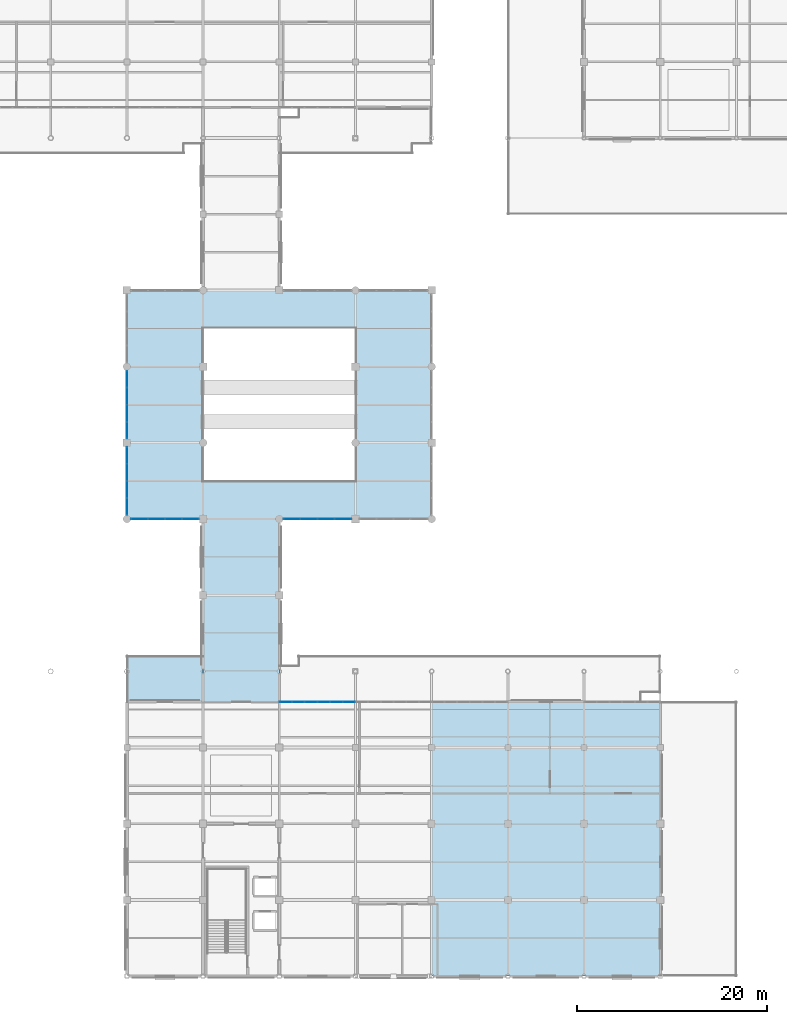
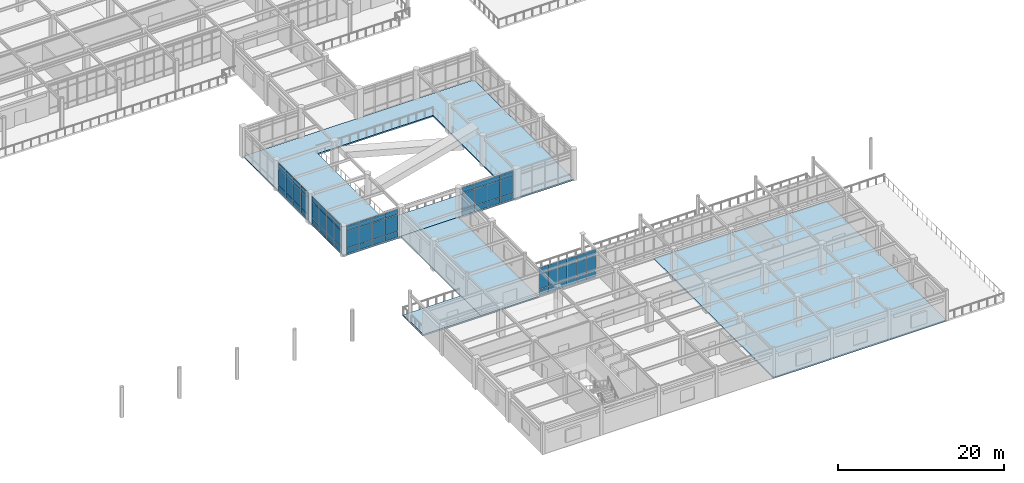
# One storey, part 48 of 75: 66 plates, 4 slabs, 5 elements without a shape of their own.
"""IFC4 building model written with IfcOpenShell, lengths in metres."""

import ifcopenshell
import ifcopenshell.guid

model = None  # the IFC model being written
_history = None  # IfcOwnerHistory: only IFC2X3 demands one
_inside = {}  # id of a spatial element -> (the spatial element, [elements in it])
_under = {}  # id of a project, library or spatial element -> (it, [spatial elements below it])
_declared = {}  # id of a project -> (the project, [libraries it declares])
_typed = {}  # id of a type object -> (the type object, [elements of that type])
_made_of = {}  # id of a material, layer set ... -> (it, [elements and type objects made of it])


def new_model(schema):
    """Start an empty IFC model of exactly this schema.

    Asked for "IFC4X3", IfcOpenShell would pick the latest addendum, in which some entities
    have other attributes; the version numbers below select the first issue.
    IFC2X3 requires an IfcOwnerHistory on every rooted entity: one is made here for all.
    """
    global model, _history
    if schema == "IFC4X3":
        model = ifcopenshell.file(schema_version=(4, 3, 0, 0))
    else:
        model = ifcopenshell.file(schema=schema)
    _inside.clear()
    _under.clear()
    _declared.clear()
    _typed.clear()
    _made_of.clear()
    _history = None
    if model.schema == "IFC2X3":
        org = make("IfcOrganization", Name="unknown")
        user = make(
            "IfcPersonAndOrganization",
            ThePerson=make("IfcPerson", FamilyName="unknown"),
            TheOrganization=org,
        )
        app = make(
            "IfcApplication",
            ApplicationDeveloper=org,
            Version="unknown",
            ApplicationFullName="unknown",
            ApplicationIdentifier="unknown",
        )
        _history = make(
            "IfcOwnerHistory",
            OwningUser=user,
            OwningApplication=app,
            ChangeAction="ADDED",
            CreationDate=0,
        )
    return model


def make(cls, **values):
    """One entity of the class cls with the attributes given. An attribute that is None is left unset."""
    return model.create_entity(
        cls, **{name: value for name, value in values.items() if value is not None}
    )


def rooted(cls, **values):
    """An entity with a GlobalId (a new one), such as an element, a storey or a relation."""
    return make(cls, GlobalId=ifcopenshell.guid.new(), OwnerHistory=_history, **values)


def si_unit(unit_type, name, prefix=None):
    """IfcSIUnit, for example si_unit("LENGTHUNIT", "METRE", prefix="MILLI")."""
    return make("IfcSIUnit", UnitType=unit_type, Prefix=prefix, Name=name)


def assignment(units):
    """IfcUnitAssignment: the units of a project."""
    return None if units is None else make("IfcUnitAssignment", Units=units)


def point(xyz):
    """IfcCartesianPoint."""
    return None if xyz is None else make("IfcCartesianPoint", Coordinates=xyz)


def direction(xyz):
    """IfcDirection."""
    return None if xyz is None else make("IfcDirection", DirectionRatios=xyz)


def frame(location, z_axis=None, x_axis=None):
    """IfcAxis2Placement3D, a coordinate frame: its origin and axes. An axis left out is left unset."""
    return make(
        "IfcAxis2Placement3D",
        Location=point(location),
        Axis=direction(z_axis),
        RefDirection=direction(x_axis),
    )


def frame_2d(location, x_axis=None):
    """IfcAxis2Placement2D, a coordinate frame in the plane: its origin and x axis."""
    return make(
        "IfcAxis2Placement2D", Location=point(location), RefDirection=direction(x_axis)
    )


def origin():
    """The frame at (0, 0, 0) with its axes left unset."""
    return frame((0.0, 0.0, 0.0))


def origin_2d():
    """The frame at (0, 0) in the plane with its x axis left unset."""
    return frame_2d((0.0, 0.0))


def place(relative_to, where):
    """IfcLocalPlacement: puts the frame where relative to a parent placement (None: the world)."""
    return make(
        "IfcLocalPlacement", PlacementRelTo=relative_to, RelativePlacement=where
    )


def context(
    kind, dimensions, precision=None, world=None, true_north=None, identifier=None
):
    """IfcGeometricRepresentationContext, for example the 3D "Model" context."""
    return make(
        "IfcGeometricRepresentationContext",
        ContextIdentifier=identifier,
        ContextType=kind,
        CoordinateSpaceDimension=dimensions,
        Precision=precision,
        WorldCoordinateSystem=world,
        TrueNorth=true_north,
    )


def subcontext(parent, identifier, kind, view, scale=None):
    """IfcGeometricRepresentationSubContext, for example "Body" below "Model"."""
    return make(
        "IfcGeometricRepresentationSubContext",
        ContextIdentifier=identifier,
        ContextType=kind,
        ParentContext=parent,
        TargetScale=scale,
        TargetView=view,
    )


def project(units=None, contexts=None):
    """IfcProject with its units and contexts."""
    return rooted(
        "IfcProject",
        Name="project",
        RepresentationContexts=contexts,
        UnitsInContext=assignment(units),
    )


def spatial(cls, under=None, at=None, **own):
    """A site, building, storey or space (cls), placed at a placement, below another one or the project."""
    s = rooted(cls, ObjectPlacement=at, **own)
    if under is not None:
        _under.setdefault(under.id(), (under, []))[1].append(s)
    return s


def polyline(points):
    """IfcPolyline through the points."""
    return make("IfcPolyline", Points=[point(p) for p in points])


def profile(cls, at=None, kind="AREA", **sizes):
    """A parametric profile (cls). Its sizes go by their IFC names, for example OverallWidth=200.0."""
    return make(cls, ProfileType=kind, Position=at, **sizes)


def rectangle(**sizes):
    """IfcRectangleProfileDef."""
    return profile("IfcRectangleProfileDef", **sizes)


def outline(outer, holes=None, kind="AREA"):
    """IfcArbitraryClosedProfileDef: a profile drawn as a closed curve; with holes, ...WithVoids."""
    if holes is None:
        return make("IfcArbitraryClosedProfileDef", ProfileType=kind, OuterCurve=outer)
    return make(
        "IfcArbitraryProfileDefWithVoids",
        ProfileType=kind,
        OuterCurve=outer,
        InnerCurves=holes,
    )


def extrude(swept, where, along, depth):
    """IfcExtrudedAreaSolid: the profile swept, set in the frame where, extruded along a direction by depth."""
    return make(
        "IfcExtrudedAreaSolid",
        SweptArea=swept,
        Position=where,
        ExtrudedDirection=direction(along),
        Depth=depth,
    )


def shape(context_of_items, identifier, shape_type, items):
    """IfcShapeRepresentation: the items that make up one representation, for example the "Body"."""
    return make(
        "IfcShapeRepresentation",
        ContextOfItems=context_of_items,
        RepresentationIdentifier=identifier,
        RepresentationType=shape_type,
        Items=items,
    )


def material(Name=None, Category=None):
    """IfcMaterial."""
    return make("IfcMaterial", Name=Name, Category=Category)


def layer(
    of_material, thickness, ventilated=None, Name=None, Category=None, Priority=None
):
    """IfcMaterialLayer: one layer of a wall or slab, of a material (None: an air gap)."""
    return make(
        "IfcMaterialLayer",
        Material=of_material,
        LayerThickness=thickness,
        IsVentilated=ventilated,
        Name=Name,
        Category=Category,
        Priority=Priority,
    )


def layer_set(layers, Name=None):
    """IfcMaterialLayerSet."""
    return make("IfcMaterialLayerSet", MaterialLayers=layers, LayerSetName=Name)


def made_of(thing, what):
    """Note that an element or type object is made of a material, layer set ...; save() writes the relation."""
    if what is not None:
        _made_of.setdefault(what.id(), (what, []))[1].append(thing)
    return thing


def type_object(cls, material=None, **own):
    """A type object (cls), such as IfcWallType, which elements share."""
    return made_of(rooted(cls, **own), material)


def element(
    cls,
    number,
    at=None,
    inside=None,
    cuts=None,
    type_object=None,
    material=None,
    context=None,
    identifier="Body",
    shape_type=None,
    held_by="IfcProductDefinitionShape",
    body=None,
    shapes=None,
    **own,
):
    """One element of the class cls, such as IfcWall. Its Tag is "e" and its number.

    at: its placement. inside: the storey or other place that contains it. cuts: it is an
    opening in that element (IfcRelVoidsElement). A single representation is given by context,
    identifier, shape_type and body (its items); several are given by shapes. held_by: the class
    of the entity that holds the representations. save() writes the other relations.
    """
    e = rooted(cls, Tag="e%d" % number, ObjectPlacement=at, **own)
    if body is not None:
        shapes = [shape(context, identifier, shape_type, body)]
    if shapes is not None:
        e.Representation = make(held_by, Representations=shapes)
    if inside is not None:
        _inside.setdefault(inside.id(), (inside, []))[1].append(e)
    if cuts is not None:
        rooted(
            "IfcRelVoidsElement", RelatingBuildingElement=cuts, RelatedOpeningElement=e
        )
    if type_object is not None:
        _typed.setdefault(type_object.id(), (type_object, []))[1].append(e)
    return made_of(e, material)


def aggregate(whole, parts):
    """IfcRelAggregates: a whole, such as a stair, and the parts it consists of."""
    return rooted("IfcRelAggregates", RelatingObject=whole, RelatedObjects=parts)


def save(model, path):
    """Write the relations noted so far, then the file.

    IfcRelAggregates (storeys below a building ...), IfcRelContainedInSpatialStructure (elements
    in a storey), IfcRelDefinesByType, IfcRelAssociatesMaterial and IfcRelDeclares: one each for
    every whole, place, type object, material and project.
    """
    for whole, parts in _under.values():
        aggregate(whole, parts)
    for where, things in _inside.values():
        rooted(
            "IfcRelContainedInSpatialStructure",
            RelatedElements=things,
            RelatingStructure=where,
        )
    for kind, things in _typed.values():
        rooted("IfcRelDefinesByType", RelatedObjects=things, RelatingType=kind)
    for what, things in _made_of.values():
        rooted("IfcRelAssociatesMaterial", RelatedObjects=things, RelatingMaterial=what)
    for by, libraries in _declared.values():
        rooted("IfcRelDeclares", RelatingContext=by, RelatedDefinitions=libraries)
    model.write(path)


model = new_model("IFC4")

# Units and contexts
model_context = context("Model", 3, precision=1e-05, world=origin(), true_north=direction((0.0, 1.0)))
body_context = subcontext(model_context, "Body", "Model", "MODEL_VIEW")
ifc_project = project(units=[si_unit("LENGTHUNIT", "METRE"), si_unit("AREAUNIT", "SQUARE_METRE"), si_unit("VOLUMEUNIT", "CUBIC_METRE"), si_unit("PLANEANGLEUNIT", "RADIAN"), si_unit("MASSUNIT", "GRAM", prefix="KILO")], contexts=[model_context])

# Site, building, storey
site_placement = place(None, origin())
site = spatial("IfcSite", under=ifc_project, at=site_placement, CompositionType="ELEMENT")
building_placement = place(site_placement, origin())
building = spatial("IfcBuilding", under=site, at=building_placement, Name="Solmirada Galleria", CompositionType="ELEMENT")
storey_placement = place(building_placement, frame((0.0, 0.0, 19.39990234375)))
storey = spatial("IfcBuildingStorey", under=building, at=storey_placement, Name="L04", CompositionType="ELEMENT", Elevation=19.39990234375)

# Curtain wall, plates
ifc_material_1 = material(Name="Impact-resistant low-E double glazing", Category="glass")
curtain_wall_type_1 = type_object("IfcCurtainWallType", Name="CW-FZ3-L04-B4-L072", PredefinedType="NOTDEFINED", material=ifc_material_1)
curtain_wall_1_placement = place(storey_placement, origin())
curtain_wall_1 = element("IfcCurtainWall", 1, at=curtain_wall_1_placement, inside=storey, type_object=curtain_wall_type_1, Name="Terrace and arcade storefront CW-L04-141", PredefinedType="NOTDEFINED")
ifc_layer_1 = layer(ifc_material_1, 0.0419921875)
ifc_layer_set_1 = layer_set([ifc_layer_1], Name="Impact-resistant low-E double glazing")
plate_type_1 = type_object("IfcPlateType", Name="CW-PNL-CW30-T42", PredefinedType="CURTAIN_PANEL", material=ifc_layer_set_1)
plate_1_placement = place(storey_placement, frame((86.68359375, 48.0, 0.06005859375), z_axis=(0.0, 0.0, 1.0), x_axis=(-1.0, 0.0, 0.0)))
plate_1 = element("IfcPlate", 2, at=plate_1_placement, type_object=plate_type_1, Name="CW30 panel 1.1", PredefinedType="CURTAIN_PANEL", context=body_context, shape_type="SweptSolid", body=[
    extrude(rectangle(XDim=1.708984375, YDim=0.0419921875, at=origin_2d()), origin(), (0.0, 0.0, 1.0), 0.7900390625),
])
plate_2_placement = place(storey_placement, frame((86.68359375, 48.0, 0.91015625), z_axis=(0.0, 0.0, 1.0), x_axis=(-1.0, 0.0, 0.0)))
plate_2 = element("IfcPlate", 3, at=plate_2_placement, type_object=plate_type_1, Name="CW30 panel 1.2", PredefinedType="CURTAIN_PANEL", context=body_context, shape_type="SweptSolid", body=[
    extrude(rectangle(XDim=1.708984375, YDim=0.0419921875, at=origin_2d()), origin(), (0.0, 0.0, 1.0), 2.39990234375),
])
plate_3_placement = place(storey_placement, frame((86.68359375, 48.0, 3.3701171875), z_axis=(0.0, 0.0, 1.0), x_axis=(-1.0, 0.0, 0.0)))
plate_3 = element("IfcPlate", 4, at=plate_3_placement, type_object=plate_type_1, Name="CW30 panel 1.3", PredefinedType="CURTAIN_PANEL", context=body_context, shape_type="SweptSolid", body=[
    extrude(rectangle(XDim=1.708984375, YDim=0.0419921875, at=origin_2d()), origin(), (0.0, 0.0, 1.0), 0.7900390625),
])
plate_4_placement = place(storey_placement, frame((84.8994140625, 48.0, 0.06005859375), z_axis=(0.0, 0.0, 1.0), x_axis=(-1.0, 0.0, 0.0)))
plate_4 = element("IfcPlate", 5, at=plate_4_placement, type_object=plate_type_1, Name="CW30 panel 2.1", PredefinedType="CURTAIN_PANEL", context=body_context, shape_type="SweptSolid", body=[
    extrude(rectangle(XDim=1.739013671875, YDim=0.0419921875, at=origin_2d()), origin(), (0.0, 0.0, 1.0), 0.7900390625),
])
plate_5_placement = place(storey_placement, frame((84.8994140625, 48.0, 0.91015625), z_axis=(0.0, 0.0, 1.0), x_axis=(-1.0, 0.0, 0.0)))
plate_5 = element("IfcPlate", 6, at=plate_5_placement, type_object=plate_type_1, Name="CW30 panel 2.2", PredefinedType="CURTAIN_PANEL", context=body_context, shape_type="SweptSolid", body=[
    extrude(rectangle(XDim=1.739013671875, YDim=0.0419921875, at=origin_2d()), origin(), (0.0, 0.0, 1.0), 2.39990234375),
])
plate_6_placement = place(storey_placement, frame((84.8994140625, 48.0, 3.3701171875), z_axis=(0.0, 0.0, 1.0), x_axis=(-1.0, 0.0, 0.0)))
plate_6 = element("IfcPlate", 7, at=plate_6_placement, type_object=plate_type_1, Name="CW30 panel 2.3", PredefinedType="CURTAIN_PANEL", context=body_context, shape_type="SweptSolid", body=[
    extrude(rectangle(XDim=1.739013671875, YDim=0.0419921875, at=origin_2d()), origin(), (0.0, 0.0, 1.0), 0.7900390625),
])
plate_7_placement = place(storey_placement, frame((83.1005859375, 48.0, 0.06005859375), z_axis=(0.0, 0.0, 1.0), x_axis=(-1.0, 0.0, 0.0)))
plate_7 = element("IfcPlate", 8, at=plate_7_placement, type_object=plate_type_1, Name="CW30 panel 3.1", PredefinedType="CURTAIN_PANEL", context=body_context, shape_type="SweptSolid", body=[
    extrude(rectangle(XDim=1.739013671875, YDim=0.0419921875, at=origin_2d()), origin(), (0.0, 0.0, 1.0), 0.7900390625),
])
plate_8_placement = place(storey_placement, frame((83.1005859375, 48.0, 0.91015625), z_axis=(0.0, 0.0, 1.0), x_axis=(-1.0, 0.0, 0.0)))
plate_8 = element("IfcPlate", 9, at=plate_8_placement, type_object=plate_type_1, Name="CW30 panel 3.2", PredefinedType="CURTAIN_PANEL", context=body_context, shape_type="SweptSolid", body=[
    extrude(rectangle(XDim=1.739013671875, YDim=0.0419921875, at=origin_2d()), origin(), (0.0, 0.0, 1.0), 2.39990234375),
])
plate_9_placement = place(storey_placement, frame((83.1005859375, 48.0, 3.3701171875), z_axis=(0.0, 0.0, 1.0), x_axis=(-1.0, 0.0, 0.0)))
plate_9 = element("IfcPlate", 10, at=plate_9_placement, type_object=plate_type_1, Name="CW30 panel 3.3", PredefinedType="CURTAIN_PANEL", context=body_context, shape_type="SweptSolid", body=[
    extrude(rectangle(XDim=1.739013671875, YDim=0.0419921875, at=origin_2d()), origin(), (0.0, 0.0, 1.0), 0.7900390625),
])
plate_10_placement = place(storey_placement, frame((81.31640625, 48.0, 0.06005859375), z_axis=(0.0, 0.0, 1.0), x_axis=(-1.0, 0.0, 0.0)))
plate_10 = element("IfcPlate", 11, at=plate_10_placement, type_object=plate_type_1, Name="CW30 panel 4.1", PredefinedType="CURTAIN_PANEL", context=body_context, shape_type="SweptSolid", body=[
    extrude(rectangle(XDim=1.708984375, YDim=0.0419921875, at=origin_2d()), origin(), (0.0, 0.0, 1.0), 0.7900390625),
])
plate_11_placement = place(storey_placement, frame((81.31640625, 48.0, 0.91015625), z_axis=(0.0, 0.0, 1.0), x_axis=(-1.0, 0.0, 0.0)))
plate_11 = element("IfcPlate", 12, at=plate_11_placement, type_object=plate_type_1, Name="CW30 panel 4.2", PredefinedType="CURTAIN_PANEL", context=body_context, shape_type="SweptSolid", body=[
    extrude(rectangle(XDim=1.708984375, YDim=0.0419921875, at=origin_2d()), origin(), (0.0, 0.0, 1.0), 2.39990234375),
])
plate_12_placement = place(storey_placement, frame((81.31640625, 48.0, 3.3701171875), z_axis=(0.0, 0.0, 1.0), x_axis=(-1.0, 0.0, 0.0)))
plate_12 = element("IfcPlate", 13, at=plate_12_placement, type_object=plate_type_1, Name="CW30 panel 4.3", PredefinedType="CURTAIN_PANEL", context=body_context, shape_type="SweptSolid", body=[
    extrude(rectangle(XDim=1.708984375, YDim=0.0419921875, at=origin_2d()), origin(), (0.0, 0.0, 1.0), 0.7900390625),
])
aggregate(curtain_wall_1, [plate_1, plate_2, plate_3, plate_4, plate_5, plate_6, plate_7, plate_8, plate_9, plate_10, plate_11, plate_12])

curtain_wall_2_placement = place(storey_placement, origin())
curtain_wall_2 = element("IfcCurtainWall", 14, at=curtain_wall_2_placement, inside=storey, type_object=curtain_wall_type_1, Name="Terrace and arcade storefront CW-L04-142", PredefinedType="NOTDEFINED")
plate_13_placement = place(storey_placement, frame((80.0, 49.31640625, 0.06005859375), z_axis=(0.0, 0.0, 1.0), x_axis=(0.0, 1.0, 0.0)))
plate_13 = element("IfcPlate", 15, at=plate_13_placement, type_object=plate_type_1, Name="CW30 panel 1.1", PredefinedType="CURTAIN_PANEL", context=body_context, shape_type="SweptSolid", body=[
    extrude(rectangle(XDim=1.708984375, YDim=0.0419921875, at=origin_2d()), origin(), (0.0, 0.0, 1.0), 0.7900390625),
])
plate_14_placement = place(storey_placement, frame((80.0, 49.31640625, 0.91015625), z_axis=(0.0, 0.0, 1.0), x_axis=(0.0, 1.0, 0.0)))
plate_14 = element("IfcPlate", 16, at=plate_14_placement, type_object=plate_type_1, Name="CW30 panel 1.2", PredefinedType="CURTAIN_PANEL", context=body_context, shape_type="SweptSolid", body=[
    extrude(rectangle(XDim=1.708984375, YDim=0.0419921875, at=origin_2d()), origin(), (0.0, 0.0, 1.0), 2.39990234375),
])
plate_15_placement = place(storey_placement, frame((80.0, 49.31640625, 3.3701171875), z_axis=(0.0, 0.0, 1.0), x_axis=(0.0, 1.0, 0.0)))
plate_15 = element("IfcPlate", 17, at=plate_15_placement, type_object=plate_type_1, Name="CW30 panel 1.3", PredefinedType="CURTAIN_PANEL", context=body_context, shape_type="SweptSolid", body=[
    extrude(rectangle(XDim=1.708984375, YDim=0.0419921875, at=origin_2d()), origin(), (0.0, 0.0, 1.0), 0.7900390625),
])
plate_16_placement = place(storey_placement, frame((80.0, 51.1005859375, 0.06005859375), z_axis=(0.0, 0.0, 1.0), x_axis=(0.0, 1.0, 0.0)))
plate_16 = element("IfcPlate", 18, at=plate_16_placement, type_object=plate_type_1, Name="CW30 panel 2.1", PredefinedType="CURTAIN_PANEL", context=body_context, shape_type="SweptSolid", body=[
    extrude(rectangle(XDim=1.739013671875, YDim=0.0419921875, at=origin_2d()), origin(), (0.0, 0.0, 1.0), 0.7900390625),
])
plate_17_placement = place(storey_placement, frame((80.0, 51.1005859375, 0.91015625), z_axis=(0.0, 0.0, 1.0), x_axis=(0.0, 1.0, 0.0)))
plate_17 = element("IfcPlate", 19, at=plate_17_placement, type_object=plate_type_1, Name="CW30 panel 2.2", PredefinedType="CURTAIN_PANEL", context=body_context, shape_type="SweptSolid", body=[
    extrude(rectangle(XDim=1.739013671875, YDim=0.0419921875, at=origin_2d()), origin(), (0.0, 0.0, 1.0), 2.39990234375),
])
plate_18_placement = place(storey_placement, frame((80.0, 51.1005859375, 3.3701171875), z_axis=(0.0, 0.0, 1.0), x_axis=(0.0, 1.0, 0.0)))
plate_18 = element("IfcPlate", 20, at=plate_18_placement, type_object=plate_type_1, Name="CW30 panel 2.3", PredefinedType="CURTAIN_PANEL", context=body_context, shape_type="SweptSolid", body=[
    extrude(rectangle(XDim=1.739013671875, YDim=0.0419921875, at=origin_2d()), origin(), (0.0, 0.0, 1.0), 0.7900390625),
])
plate_19_placement = place(storey_placement, frame((80.0, 52.8994140625, 0.06005859375), z_axis=(0.0, 0.0, 1.0), x_axis=(0.0, 1.0, 0.0)))
plate_19 = element("IfcPlate", 21, at=plate_19_placement, type_object=plate_type_1, Name="CW30 panel 3.1", PredefinedType="CURTAIN_PANEL", context=body_context, shape_type="SweptSolid", body=[
    extrude(rectangle(XDim=1.739013671875, YDim=0.0419921875, at=origin_2d()), origin(), (0.0, 0.0, 1.0), 0.7900390625),
])
plate_20_placement = place(storey_placement, frame((80.0, 52.8994140625, 0.91015625), z_axis=(0.0, 0.0, 1.0), x_axis=(0.0, 1.0, 0.0)))
plate_20 = element("IfcPlate", 22, at=plate_20_placement, type_object=plate_type_1, Name="CW30 panel 3.2", PredefinedType="CURTAIN_PANEL", context=body_context, shape_type="SweptSolid", body=[
    extrude(rectangle(XDim=1.739013671875, YDim=0.0419921875, at=origin_2d()), origin(), (0.0, 0.0, 1.0), 2.39990234375),
])
plate_21_placement = place(storey_placement, frame((80.0, 52.8994140625, 3.3701171875), z_axis=(0.0, 0.0, 1.0), x_axis=(0.0, 1.0, 0.0)))
plate_21 = element("IfcPlate", 23, at=plate_21_placement, type_object=plate_type_1, Name="CW30 panel 3.3", PredefinedType="CURTAIN_PANEL", context=body_context, shape_type="SweptSolid", body=[
    extrude(rectangle(XDim=1.739013671875, YDim=0.0419921875, at=origin_2d()), origin(), (0.0, 0.0, 1.0), 0.7900390625),
])
plate_22_placement = place(storey_placement, frame((80.0, 54.68359375, 0.06005859375), z_axis=(0.0, 0.0, 1.0), x_axis=(0.0, 1.0, 0.0)))
plate_22 = element("IfcPlate", 24, at=plate_22_placement, type_object=plate_type_1, Name="CW30 panel 4.1", PredefinedType="CURTAIN_PANEL", context=body_context, shape_type="SweptSolid", body=[
    extrude(rectangle(XDim=1.708984375, YDim=0.0419921875, at=origin_2d()), origin(), (0.0, 0.0, 1.0), 0.7900390625),
])
plate_23_placement = place(storey_placement, frame((80.0, 54.68359375, 0.91015625), z_axis=(0.0, 0.0, 1.0), x_axis=(0.0, 1.0, 0.0)))
plate_23 = element("IfcPlate", 25, at=plate_23_placement, type_object=plate_type_1, Name="CW30 panel 4.2", PredefinedType="CURTAIN_PANEL", context=body_context, shape_type="SweptSolid", body=[
    extrude(rectangle(XDim=1.708984375, YDim=0.0419921875, at=origin_2d()), origin(), (0.0, 0.0, 1.0), 2.39990234375),
])
plate_24_placement = place(storey_placement, frame((80.0, 54.68359375, 3.3701171875), z_axis=(0.0, 0.0, 1.0), x_axis=(0.0, 1.0, 0.0)))
plate_24 = element("IfcPlate", 26, at=plate_24_placement, type_object=plate_type_1, Name="CW30 panel 4.3", PredefinedType="CURTAIN_PANEL", context=body_context, shape_type="SweptSolid", body=[
    extrude(rectangle(XDim=1.708984375, YDim=0.0419921875, at=origin_2d()), origin(), (0.0, 0.0, 1.0), 0.7900390625),
])
aggregate(curtain_wall_2, [plate_13, plate_14, plate_15, plate_16, plate_17, plate_18, plate_19, plate_20, plate_21, plate_22, plate_23, plate_24])

curtain_wall_3_placement = place(storey_placement, origin())
curtain_wall_3 = element("IfcCurtainWall", 27, at=curtain_wall_3_placement, inside=storey, type_object=curtain_wall_type_1, Name="Terrace and arcade storefront CW-L04-143", PredefinedType="NOTDEFINED")
plate_25_placement = place(storey_placement, frame((80.0, 57.31640625, 0.06005859375), z_axis=(0.0, 0.0, 1.0), x_axis=(0.0, 1.0, 0.0)))
plate_25 = element("IfcPlate", 28, at=plate_25_placement, type_object=plate_type_1, Name="CW30 panel 1.1", PredefinedType="CURTAIN_PANEL", context=body_context, shape_type="SweptSolid", body=[
    extrude(rectangle(XDim=1.708984375, YDim=0.0419921875, at=origin_2d()), origin(), (0.0, 0.0, 1.0), 0.7900390625),
])
plate_26_placement = place(storey_placement, frame((80.0, 57.31640625, 0.91015625), z_axis=(0.0, 0.0, 1.0), x_axis=(0.0, 1.0, 0.0)))
plate_26 = element("IfcPlate", 29, at=plate_26_placement, type_object=plate_type_1, Name="CW30 panel 1.2", PredefinedType="CURTAIN_PANEL", context=body_context, shape_type="SweptSolid", body=[
    extrude(rectangle(XDim=1.708984375, YDim=0.0419921875, at=origin_2d()), origin(), (0.0, 0.0, 1.0), 2.39990234375),
])
plate_27_placement = place(storey_placement, frame((80.0, 57.31640625, 3.3701171875), z_axis=(0.0, 0.0, 1.0), x_axis=(0.0, 1.0, 0.0)))
plate_27 = element("IfcPlate", 30, at=plate_27_placement, type_object=plate_type_1, Name="CW30 panel 1.3", PredefinedType="CURTAIN_PANEL", context=body_context, shape_type="SweptSolid", body=[
    extrude(rectangle(XDim=1.708984375, YDim=0.0419921875, at=origin_2d()), origin(), (0.0, 0.0, 1.0), 0.7900390625),
])
plate_28_placement = place(storey_placement, frame((80.0, 59.1005859375, 0.06005859375), z_axis=(0.0, 0.0, 1.0), x_axis=(0.0, 1.0, 0.0)))
plate_28 = element("IfcPlate", 31, at=plate_28_placement, type_object=plate_type_1, Name="CW30 panel 2.1", PredefinedType="CURTAIN_PANEL", context=body_context, shape_type="SweptSolid", body=[
    extrude(rectangle(XDim=1.739013671875, YDim=0.0419921875, at=origin_2d()), origin(), (0.0, 0.0, 1.0), 0.7900390625),
])
plate_29_placement = place(storey_placement, frame((80.0, 59.1005859375, 0.91015625), z_axis=(0.0, 0.0, 1.0), x_axis=(0.0, 1.0, 0.0)))
plate_29 = element("IfcPlate", 32, at=plate_29_placement, type_object=plate_type_1, Name="CW30 panel 2.2", PredefinedType="CURTAIN_PANEL", context=body_context, shape_type="SweptSolid", body=[
    extrude(rectangle(XDim=1.739013671875, YDim=0.0419921875, at=origin_2d()), origin(), (0.0, 0.0, 1.0), 2.39990234375),
])
plate_30_placement = place(storey_placement, frame((80.0, 59.1005859375, 3.3701171875), z_axis=(0.0, 0.0, 1.0), x_axis=(0.0, 1.0, 0.0)))
plate_30 = element("IfcPlate", 33, at=plate_30_placement, type_object=plate_type_1, Name="CW30 panel 2.3", PredefinedType="CURTAIN_PANEL", context=body_context, shape_type="SweptSolid", body=[
    extrude(rectangle(XDim=1.739013671875, YDim=0.0419921875, at=origin_2d()), origin(), (0.0, 0.0, 1.0), 0.7900390625),
])
plate_31_placement = place(storey_placement, frame((80.0, 60.8994140625, 0.06005859375), z_axis=(0.0, 0.0, 1.0), x_axis=(0.0, 1.0, 0.0)))
plate_31 = element("IfcPlate", 34, at=plate_31_placement, type_object=plate_type_1, Name="CW30 panel 3.1", PredefinedType="CURTAIN_PANEL", context=body_context, shape_type="SweptSolid", body=[
    extrude(rectangle(XDim=1.739013671875, YDim=0.0419921875, at=origin_2d()), origin(), (0.0, 0.0, 1.0), 0.7900390625),
])
plate_32_placement = place(storey_placement, frame((80.0, 60.8994140625, 0.91015625), z_axis=(0.0, 0.0, 1.0), x_axis=(0.0, 1.0, 0.0)))
plate_32 = element("IfcPlate", 35, at=plate_32_placement, type_object=plate_type_1, Name="CW30 panel 3.2", PredefinedType="CURTAIN_PANEL", context=body_context, shape_type="SweptSolid", body=[
    extrude(rectangle(XDim=1.739013671875, YDim=0.0419921875, at=origin_2d()), origin(), (0.0, 0.0, 1.0), 2.39990234375),
])
plate_33_placement = place(storey_placement, frame((80.0, 60.8994140625, 3.3701171875), z_axis=(0.0, 0.0, 1.0), x_axis=(0.0, 1.0, 0.0)))
plate_33 = element("IfcPlate", 36, at=plate_33_placement, type_object=plate_type_1, Name="CW30 panel 3.3", PredefinedType="CURTAIN_PANEL", context=body_context, shape_type="SweptSolid", body=[
    extrude(rectangle(XDim=1.739013671875, YDim=0.0419921875, at=origin_2d()), origin(), (0.0, 0.0, 1.0), 0.7900390625),
])
plate_34_placement = place(storey_placement, frame((80.0, 62.68359375, 0.06005859375), z_axis=(0.0, 0.0, 1.0), x_axis=(0.0, 1.0, 0.0)))
plate_34 = element("IfcPlate", 37, at=plate_34_placement, type_object=plate_type_1, Name="CW30 panel 4.1", PredefinedType="CURTAIN_PANEL", context=body_context, shape_type="SweptSolid", body=[
    extrude(rectangle(XDim=1.708984375, YDim=0.0419921875, at=origin_2d()), origin(), (0.0, 0.0, 1.0), 0.7900390625),
])
plate_35_placement = place(storey_placement, frame((80.0, 62.68359375, 0.91015625), z_axis=(0.0, 0.0, 1.0), x_axis=(0.0, 1.0, 0.0)))
plate_35 = element("IfcPlate", 38, at=plate_35_placement, type_object=plate_type_1, Name="CW30 panel 4.2", PredefinedType="CURTAIN_PANEL", context=body_context, shape_type="SweptSolid", body=[
    extrude(rectangle(XDim=1.708984375, YDim=0.0419921875, at=origin_2d()), origin(), (0.0, 0.0, 1.0), 2.39990234375),
])
plate_36_placement = place(storey_placement, frame((80.0, 62.68359375, 3.3701171875), z_axis=(0.0, 0.0, 1.0), x_axis=(0.0, 1.0, 0.0)))
plate_36 = element("IfcPlate", 39, at=plate_36_placement, type_object=plate_type_1, Name="CW30 panel 4.3", PredefinedType="CURTAIN_PANEL", context=body_context, shape_type="SweptSolid", body=[
    extrude(rectangle(XDim=1.708984375, YDim=0.0419921875, at=origin_2d()), origin(), (0.0, 0.0, 1.0), 0.7900390625),
])
aggregate(curtain_wall_3, [plate_25, plate_26, plate_27, plate_28, plate_29, plate_30, plate_31, plate_32, plate_33, plate_34, plate_35, plate_36])

curtain_wall_4_placement = place(storey_placement, origin())
curtain_wall_4 = element("IfcCurtainWall", 40, at=curtain_wall_4_placement, inside=storey, type_object=curtain_wall_type_1, Name="Terrace and arcade storefront CW-L04-158", PredefinedType="NOTDEFINED")
plate_37_placement = place(storey_placement, frame((102.68359375, 48.0, 0.06005859375), z_axis=(0.0, 0.0, 1.0), x_axis=(-1.0, 0.0, 0.0)))
plate_37 = element("IfcPlate", 41, at=plate_37_placement, type_object=plate_type_1, Name="CW30 panel 1.1", PredefinedType="CURTAIN_PANEL", context=body_context, shape_type="SweptSolid", body=[
    extrude(rectangle(XDim=1.708984375, YDim=0.0419921875, at=origin_2d()), origin(), (0.0, 0.0, 1.0), 0.7900390625),
])
plate_38_placement = place(storey_placement, frame((102.68359375, 48.0, 0.91015625), z_axis=(0.0, 0.0, 1.0), x_axis=(-1.0, 0.0, 0.0)))
plate_38 = element("IfcPlate", 42, at=plate_38_placement, type_object=plate_type_1, Name="CW30 panel 1.2", PredefinedType="CURTAIN_PANEL", context=body_context, shape_type="SweptSolid", body=[
    extrude(rectangle(XDim=1.708984375, YDim=0.0419921875, at=origin_2d()), origin(), (0.0, 0.0, 1.0), 2.39990234375),
])
plate_39_placement = place(storey_placement, frame((102.68359375, 48.0, 3.3701171875), z_axis=(0.0, 0.0, 1.0), x_axis=(-1.0, 0.0, 0.0)))
plate_39 = element("IfcPlate", 43, at=plate_39_placement, type_object=plate_type_1, Name="CW30 panel 1.3", PredefinedType="CURTAIN_PANEL", context=body_context, shape_type="SweptSolid", body=[
    extrude(rectangle(XDim=1.708984375, YDim=0.0419921875, at=origin_2d()), origin(), (0.0, 0.0, 1.0), 0.7900390625),
])
plate_40_placement = place(storey_placement, frame((100.8994140625, 48.0, 0.06005859375), z_axis=(0.0, 0.0, 1.0), x_axis=(-1.0, 0.0, 0.0)))
plate_40 = element("IfcPlate", 44, at=plate_40_placement, type_object=plate_type_1, Name="CW30 panel 2.1", PredefinedType="CURTAIN_PANEL", context=body_context, shape_type="SweptSolid", body=[
    extrude(rectangle(XDim=1.739013671875, YDim=0.0419921875, at=origin_2d()), origin(), (0.0, 0.0, 1.0), 0.7900390625),
])
plate_41_placement = place(storey_placement, frame((100.8994140625, 48.0, 0.91015625), z_axis=(0.0, 0.0, 1.0), x_axis=(-1.0, 0.0, 0.0)))
plate_41 = element("IfcPlate", 45, at=plate_41_placement, type_object=plate_type_1, Name="CW30 panel 2.2", PredefinedType="CURTAIN_PANEL", context=body_context, shape_type="SweptSolid", body=[
    extrude(rectangle(XDim=1.739013671875, YDim=0.0419921875, at=origin_2d()), origin(), (0.0, 0.0, 1.0), 2.39990234375),
])
plate_42_placement = place(storey_placement, frame((100.8994140625, 48.0, 3.3701171875), z_axis=(0.0, 0.0, 1.0), x_axis=(-1.0, 0.0, 0.0)))
plate_42 = element("IfcPlate", 46, at=plate_42_placement, type_object=plate_type_1, Name="CW30 panel 2.3", PredefinedType="CURTAIN_PANEL", context=body_context, shape_type="SweptSolid", body=[
    extrude(rectangle(XDim=1.739013671875, YDim=0.0419921875, at=origin_2d()), origin(), (0.0, 0.0, 1.0), 0.7900390625),
])
plate_43_placement = place(storey_placement, frame((99.1005859375, 48.0, 0.06005859375), z_axis=(0.0, 0.0, 1.0), x_axis=(-1.0, 0.0, 0.0)))
plate_43 = element("IfcPlate", 47, at=plate_43_placement, type_object=plate_type_1, Name="CW30 panel 3.1", PredefinedType="CURTAIN_PANEL", context=body_context, shape_type="SweptSolid", body=[
    extrude(rectangle(XDim=1.739013671875, YDim=0.0419921875, at=origin_2d()), origin(), (0.0, 0.0, 1.0), 0.7900390625),
])
plate_44_placement = place(storey_placement, frame((99.1005859375, 48.0, 0.91015625), z_axis=(0.0, 0.0, 1.0), x_axis=(-1.0, 0.0, 0.0)))
plate_44 = element("IfcPlate", 48, at=plate_44_placement, type_object=plate_type_1, Name="CW30 panel 3.2", PredefinedType="CURTAIN_PANEL", context=body_context, shape_type="SweptSolid", body=[
    extrude(rectangle(XDim=1.739013671875, YDim=0.0419921875, at=origin_2d()), origin(), (0.0, 0.0, 1.0), 2.39990234375),
])
plate_45_placement = place(storey_placement, frame((99.1005859375, 48.0, 3.3701171875), z_axis=(0.0, 0.0, 1.0), x_axis=(-1.0, 0.0, 0.0)))
plate_45 = element("IfcPlate", 49, at=plate_45_placement, type_object=plate_type_1, Name="CW30 panel 3.3", PredefinedType="CURTAIN_PANEL", context=body_context, shape_type="SweptSolid", body=[
    extrude(rectangle(XDim=1.739013671875, YDim=0.0419921875, at=origin_2d()), origin(), (0.0, 0.0, 1.0), 0.7900390625),
])
plate_46_placement = place(storey_placement, frame((97.31640625, 48.0, 0.06005859375), z_axis=(0.0, 0.0, 1.0), x_axis=(-1.0, 0.0, 0.0)))
plate_46 = element("IfcPlate", 50, at=plate_46_placement, type_object=plate_type_1, Name="CW30 panel 4.1", PredefinedType="CURTAIN_PANEL", context=body_context, shape_type="SweptSolid", body=[
    extrude(rectangle(XDim=1.708984375, YDim=0.0419921875, at=origin_2d()), origin(), (0.0, 0.0, 1.0), 0.7900390625),
])
plate_47_placement = place(storey_placement, frame((97.31640625, 48.0, 0.91015625), z_axis=(0.0, 0.0, 1.0), x_axis=(-1.0, 0.0, 0.0)))
plate_47 = element("IfcPlate", 51, at=plate_47_placement, type_object=plate_type_1, Name="CW30 panel 4.2", PredefinedType="CURTAIN_PANEL", context=body_context, shape_type="SweptSolid", body=[
    extrude(rectangle(XDim=1.708984375, YDim=0.0419921875, at=origin_2d()), origin(), (0.0, 0.0, 1.0), 2.39990234375),
])
plate_48_placement = place(storey_placement, frame((97.31640625, 48.0, 3.3701171875), z_axis=(0.0, 0.0, 1.0), x_axis=(-1.0, 0.0, 0.0)))
plate_48 = element("IfcPlate", 52, at=plate_48_placement, type_object=plate_type_1, Name="CW30 panel 4.3", PredefinedType="CURTAIN_PANEL", context=body_context, shape_type="SweptSolid", body=[
    extrude(rectangle(XDim=1.708984375, YDim=0.0419921875, at=origin_2d()), origin(), (0.0, 0.0, 1.0), 0.7900390625),
])
aggregate(curtain_wall_4, [plate_37, plate_38, plate_39, plate_40, plate_41, plate_42, plate_43, plate_44, plate_45, plate_46, plate_47, plate_48])

curtain_wall_type_2 = type_object("IfcCurtainWallType", Name="CW-FZ5-L04-B6-L080", PredefinedType="NOTDEFINED", material=ifc_material_1)
curtain_wall_5_placement = place(storey_placement, origin())
curtain_wall_5 = element("IfcCurtainWall", 53, at=curtain_wall_5_placement, inside=storey, type_object=curtain_wall_type_2, Name="Terrace and arcade storefront CW-L04-159", PredefinedType="NOTDEFINED")
ifc_material_2 = material(Name="Ceramic-fritted spandrel glass", Category="glass")
ifc_layer_2 = layer(ifc_material_2, 0.031982421875)
ifc_layer_set_2 = layer_set([ifc_layer_2], Name="Ceramic-fritted spandrel glass")
plate_type_2 = type_object("IfcPlateType", Name="CW-PNL-CW32-T32", PredefinedType="CURTAIN_PANEL", material=ifc_layer_set_2)
plate_49_placement = place(storey_placement, frame((96.681640625, 28.800048828125, 0.06005859375), z_axis=(0.0, 0.0, 1.0), x_axis=(1.0, 0.0, 0.0)))
plate_49 = element("IfcPlate", 54, at=plate_49_placement, type_object=plate_type_2, Name="CW32 panel 1.1", PredefinedType="CURTAIN_PANEL", context=body_context, shape_type="SweptSolid", body=[
    extrude(rectangle(XDim=1.243408203125, YDim=0.031982421875, at=origin_2d()), origin(), (0.0, 0.0, 1.0), 0.909912109375),
])
plate_50_placement = place(storey_placement, frame((96.681640625, 28.800048828125, 1.0302734375), z_axis=(0.0, 0.0, 1.0), x_axis=(1.0, 0.0, 0.0)))
plate_50 = element("IfcPlate", 55, at=plate_50_placement, type_object=plate_type_2, Name="CW32 panel 1.2", PredefinedType="CURTAIN_PANEL", context=body_context, shape_type="SweptSolid", body=[
    extrude(rectangle(XDim=1.243408203125, YDim=0.031982421875, at=origin_2d()), origin(), (0.0, 0.0, 1.0), 2.179931640625),
])
plate_51_placement = place(storey_placement, frame((96.681640625, 28.800048828125, 3.27001953125), z_axis=(0.0, 0.0, 1.0), x_axis=(1.0, 0.0, 0.0)))
plate_51 = element("IfcPlate", 56, at=plate_51_placement, type_object=plate_type_2, Name="CW32 panel 1.3", PredefinedType="CURTAIN_PANEL", context=body_context, shape_type="SweptSolid", body=[
    extrude(rectangle(XDim=1.243408203125, YDim=0.031982421875, at=origin_2d()), origin(), (0.0, 0.0, 1.0), 0.889892578125),
])
plate_52_placement = place(storey_placement, frame((98.0, 28.800048828125, 0.06005859375), z_axis=(0.0, 0.0, 1.0), x_axis=(1.0, 0.0, 0.0)))
plate_52 = element("IfcPlate", 57, at=plate_52_placement, type_object=plate_type_2, Name="CW32 panel 2.1", PredefinedType="CURTAIN_PANEL", context=body_context, shape_type="SweptSolid", body=[
    extrude(rectangle(XDim=1.2734375, YDim=0.031982421875, at=origin_2d()), origin(), (0.0, 0.0, 1.0), 0.909912109375),
])
plate_53_placement = place(storey_placement, frame((98.0, 28.800048828125, 1.0302734375), z_axis=(0.0, 0.0, 1.0), x_axis=(1.0, 0.0, 0.0)))
plate_53 = element("IfcPlate", 58, at=plate_53_placement, type_object=plate_type_2, Name="CW32 panel 2.2", PredefinedType="CURTAIN_PANEL", context=body_context, shape_type="SweptSolid", body=[
    extrude(rectangle(XDim=1.2734375, YDim=0.031982421875, at=origin_2d()), origin(), (0.0, 0.0, 1.0), 2.179931640625),
])
plate_54_placement = place(storey_placement, frame((98.0, 28.800048828125, 3.27001953125), z_axis=(0.0, 0.0, 1.0), x_axis=(1.0, 0.0, 0.0)))
plate_54 = element("IfcPlate", 59, at=plate_54_placement, type_object=plate_type_2, Name="CW32 panel 2.3", PredefinedType="CURTAIN_PANEL", context=body_context, shape_type="SweptSolid", body=[
    extrude(rectangle(XDim=1.2734375, YDim=0.031982421875, at=origin_2d()), origin(), (0.0, 0.0, 1.0), 0.889892578125),
])
plate_55_placement = place(storey_placement, frame((99.333251953125, 28.800048828125, 0.06005859375), z_axis=(0.0, 0.0, 1.0), x_axis=(1.0, 0.0, 0.0)))
plate_55 = element("IfcPlate", 60, at=plate_55_placement, type_object=plate_type_2, Name="CW32 panel 3.1", PredefinedType="CURTAIN_PANEL", context=body_context, shape_type="SweptSolid", body=[
    extrude(rectangle(XDim=1.2734375, YDim=0.031982421875, at=origin_2d()), origin(), (0.0, 0.0, 1.0), 0.909912109375),
])
plate_56_placement = place(storey_placement, frame((99.333251953125, 28.800048828125, 1.0302734375), z_axis=(0.0, 0.0, 1.0), x_axis=(1.0, 0.0, 0.0)))
plate_56 = element("IfcPlate", 61, at=plate_56_placement, type_object=plate_type_2, Name="CW32 panel 3.2", PredefinedType="CURTAIN_PANEL", context=body_context, shape_type="SweptSolid", body=[
    extrude(rectangle(XDim=1.2734375, YDim=0.031982421875, at=origin_2d()), origin(), (0.0, 0.0, 1.0), 2.179931640625),
])
plate_57_placement = place(storey_placement, frame((99.333251953125, 28.800048828125, 3.27001953125), z_axis=(0.0, 0.0, 1.0), x_axis=(1.0, 0.0, 0.0)))
plate_57 = element("IfcPlate", 62, at=plate_57_placement, type_object=plate_type_2, Name="CW32 panel 3.3", PredefinedType="CURTAIN_PANEL", context=body_context, shape_type="SweptSolid", body=[
    extrude(rectangle(XDim=1.2734375, YDim=0.031982421875, at=origin_2d()), origin(), (0.0, 0.0, 1.0), 0.889892578125),
])
plate_58_placement = place(storey_placement, frame((100.666748046875, 28.800048828125, 0.06005859375), z_axis=(0.0, 0.0, 1.0), x_axis=(1.0, 0.0, 0.0)))
plate_58 = element("IfcPlate", 63, at=plate_58_placement, type_object=plate_type_2, Name="CW32 panel 4.1", PredefinedType="CURTAIN_PANEL", context=body_context, shape_type="SweptSolid", body=[
    extrude(rectangle(XDim=1.2734375, YDim=0.031982421875, at=origin_2d()), origin(), (0.0, 0.0, 1.0), 0.909912109375),
])
plate_59_placement = place(storey_placement, frame((100.666748046875, 28.800048828125, 1.0302734375), z_axis=(0.0, 0.0, 1.0), x_axis=(1.0, 0.0, 0.0)))
plate_59 = element("IfcPlate", 64, at=plate_59_placement, type_object=plate_type_2, Name="CW32 panel 4.2", PredefinedType="CURTAIN_PANEL", context=body_context, shape_type="SweptSolid", body=[
    extrude(rectangle(XDim=1.2734375, YDim=0.031982421875, at=origin_2d()), origin(), (0.0, 0.0, 1.0), 2.179931640625),
])
plate_60_placement = place(storey_placement, frame((100.666748046875, 28.800048828125, 3.27001953125), z_axis=(0.0, 0.0, 1.0), x_axis=(1.0, 0.0, 0.0)))
plate_60 = element("IfcPlate", 65, at=plate_60_placement, type_object=plate_type_2, Name="CW32 panel 4.3", PredefinedType="CURTAIN_PANEL", context=body_context, shape_type="SweptSolid", body=[
    extrude(rectangle(XDim=1.2734375, YDim=0.031982421875, at=origin_2d()), origin(), (0.0, 0.0, 1.0), 0.889892578125),
])
plate_61_placement = place(storey_placement, frame((102.0, 28.800048828125, 0.06005859375), z_axis=(0.0, 0.0, 1.0), x_axis=(1.0, 0.0, 0.0)))
plate_61 = element("IfcPlate", 66, at=plate_61_placement, type_object=plate_type_2, Name="CW32 panel 5.1", PredefinedType="CURTAIN_PANEL", context=body_context, shape_type="SweptSolid", body=[
    extrude(rectangle(XDim=1.2734375, YDim=0.031982421875, at=origin_2d()), origin(), (0.0, 0.0, 1.0), 0.909912109375),
])
plate_62_placement = place(storey_placement, frame((102.0, 28.800048828125, 1.0302734375), z_axis=(0.0, 0.0, 1.0), x_axis=(1.0, 0.0, 0.0)))
plate_62 = element("IfcPlate", 67, at=plate_62_placement, type_object=plate_type_2, Name="CW32 panel 5.2", PredefinedType="CURTAIN_PANEL", context=body_context, shape_type="SweptSolid", body=[
    extrude(rectangle(XDim=1.2734375, YDim=0.031982421875, at=origin_2d()), origin(), (0.0, 0.0, 1.0), 2.179931640625),
])
plate_63_placement = place(storey_placement, frame((102.0, 28.800048828125, 3.27001953125), z_axis=(0.0, 0.0, 1.0), x_axis=(1.0, 0.0, 0.0)))
plate_63 = element("IfcPlate", 68, at=plate_63_placement, type_object=plate_type_2, Name="CW32 panel 5.3", PredefinedType="CURTAIN_PANEL", context=body_context, shape_type="SweptSolid", body=[
    extrude(rectangle(XDim=1.2734375, YDim=0.031982421875, at=origin_2d()), origin(), (0.0, 0.0, 1.0), 0.889892578125),
])
plate_64_placement = place(storey_placement, frame((103.318359375, 28.800048828125, 0.06005859375), z_axis=(0.0, 0.0, 1.0), x_axis=(1.0, 0.0, 0.0)))
plate_64 = element("IfcPlate", 69, at=plate_64_placement, type_object=plate_type_2, Name="CW32 panel 6.1", PredefinedType="CURTAIN_PANEL", context=body_context, shape_type="SweptSolid", body=[
    extrude(rectangle(XDim=1.243408203125, YDim=0.031982421875, at=origin_2d()), origin(), (0.0, 0.0, 1.0), 0.909912109375),
])
plate_65_placement = place(storey_placement, frame((103.318359375, 28.800048828125, 1.0302734375), z_axis=(0.0, 0.0, 1.0), x_axis=(1.0, 0.0, 0.0)))
plate_65 = element("IfcPlate", 70, at=plate_65_placement, type_object=plate_type_2, Name="CW32 panel 6.2", PredefinedType="CURTAIN_PANEL", context=body_context, shape_type="SweptSolid", body=[
    extrude(rectangle(XDim=1.243408203125, YDim=0.031982421875, at=origin_2d()), origin(), (0.0, 0.0, 1.0), 2.179931640625),
])
plate_66_placement = place(storey_placement, frame((103.318359375, 28.800048828125, 3.27001953125), z_axis=(0.0, 0.0, 1.0), x_axis=(1.0, 0.0, 0.0)))
plate_66 = element("IfcPlate", 71, at=plate_66_placement, type_object=plate_type_2, Name="CW32 panel 6.3", PredefinedType="CURTAIN_PANEL", context=body_context, shape_type="SweptSolid", body=[
    extrude(rectangle(XDim=1.243408203125, YDim=0.031982421875, at=origin_2d()), origin(), (0.0, 0.0, 1.0), 0.889892578125),
])
aggregate(curtain_wall_5, [plate_49, plate_50, plate_51, plate_52, plate_53, plate_54, plate_55, plate_56, plate_57, plate_58, plate_59, plate_60, plate_61, plate_62, plate_63, plate_64, plate_65, plate_66])

# Slabs
ifc_material_3 = material(Name="Concrete C35/45", Category="concrete")
ifc_layer_3 = layer(ifc_material_3, 0.199951171875)
ifc_layer_set_3 = layer_set([ifc_layer_3], Name="Concrete C35/45")
slab_type_1 = type_object("IfcSlabType", Name="SLB-FLOOR-200", PredefinedType="FLOOR", material=ifc_layer_set_3)
slab_1_placement = place(storey_placement, frame((0.0, 0.0, -0.199951171875)))
element("IfcSlab", 72, at=slab_1_placement, inside=storey, type_object=slab_type_1, Name="Slab L04-SOUTH-E", PredefinedType="FLOOR", context=body_context, shape_type="SweptSolid", body=[
    extrude(outline(polyline([(112.0, 0.0), (136.0, 0.0), (136.0, 28.800048828125), (112.0, 28.800048828125), (112.0, 0.0)])), origin(), (0.0, 0.0, 1.0), 0.199951171875),
])
slab_2_placement = place(storey_placement, frame((0.0, 0.0, -0.199951171875)))
element("IfcSlab", 73, at=slab_2_placement, inside=storey, type_object=slab_type_1, Name="Slab L04-BRG-S", PredefinedType="FLOOR", context=body_context, shape_type="SweptSolid", body=[
    extrude(outline(polyline([(88.0, 28.800048828125), (96.0, 28.800048828125), (96.0, 48.0), (88.0, 48.0), (88.0, 28.800048828125)])), origin(), (0.0, 0.0, 1.0), 0.199951171875),
])
slab_3_placement = place(storey_placement, frame((0.0, 0.0, -0.199951171875)))
element("IfcSlab", 74, at=slab_3_placement, inside=storey, type_object=slab_type_1, Name="Slab L04-ATRIUM", PredefinedType="FLOOR", context=body_context, shape_type="SweptSolid", body=[
    extrude(outline(polyline([(80.0, 48.0), (112.0, 48.0), (112.0, 72.0), (80.0, 72.0), (80.0, 48.0)]), holes=[polyline([(88.0, 52.0), (104.0, 52.0), (104.0, 68.0), (88.0, 68.0), (88.0, 52.0)])]), origin(), (0.0, 0.0, 1.0), 0.199951171875),
])
ifc_layer_4 = layer(ifc_material_3, 0.239990234375)
ifc_layer_set_4 = layer_set([ifc_layer_4], Name="Concrete C35/45")
slab_type_2 = type_object("IfcSlabType", Name="SLB-TERR-240", PredefinedType="FLOOR", material=ifc_layer_set_4)
slab_4_placement = place(storey_placement, frame((0.0, 0.0, -0.239990234375)))
element("IfcSlab", 75, at=slab_4_placement, inside=storey, type_object=slab_type_2, Name="Slab L04-TERR-SW", PredefinedType="FLOOR", context=body_context, shape_type="SweptSolid", body=[
    extrude(outline(polyline([(80.0, 28.800048828125), (88.0, 28.800048828125), (88.0, 33.60009765625), (80.0, 33.60009765625), (80.0, 28.800048828125)])), origin(), (0.0, 0.0, 1.0), 0.239990234375),
])

save(model, "model.ifc")
